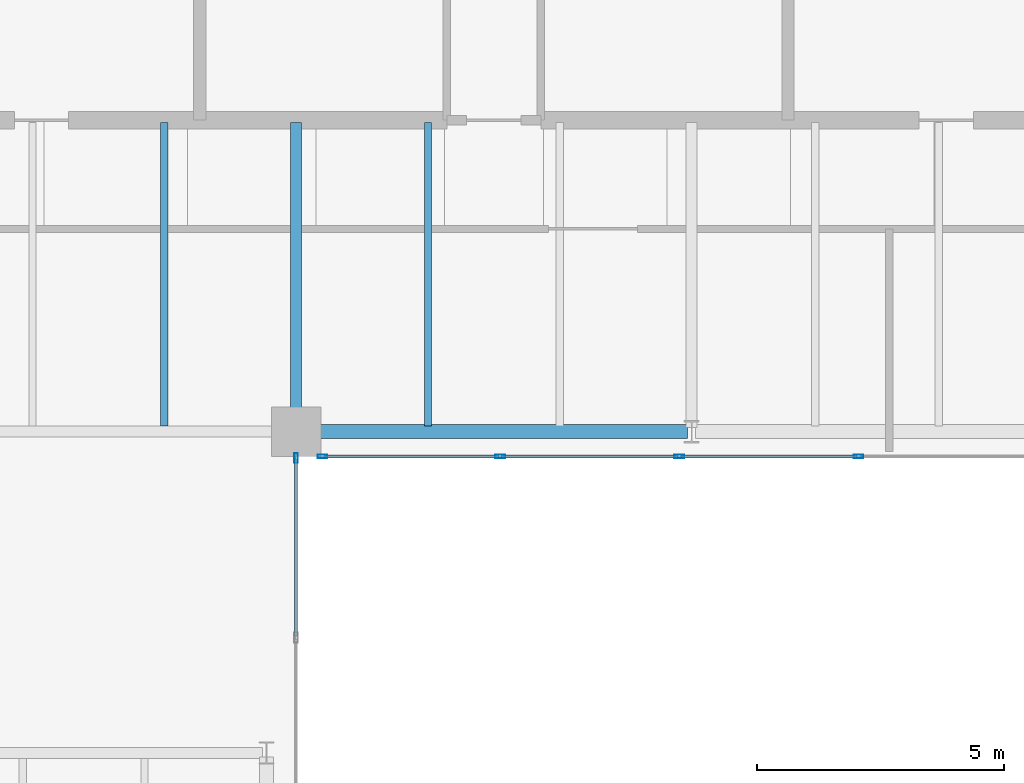
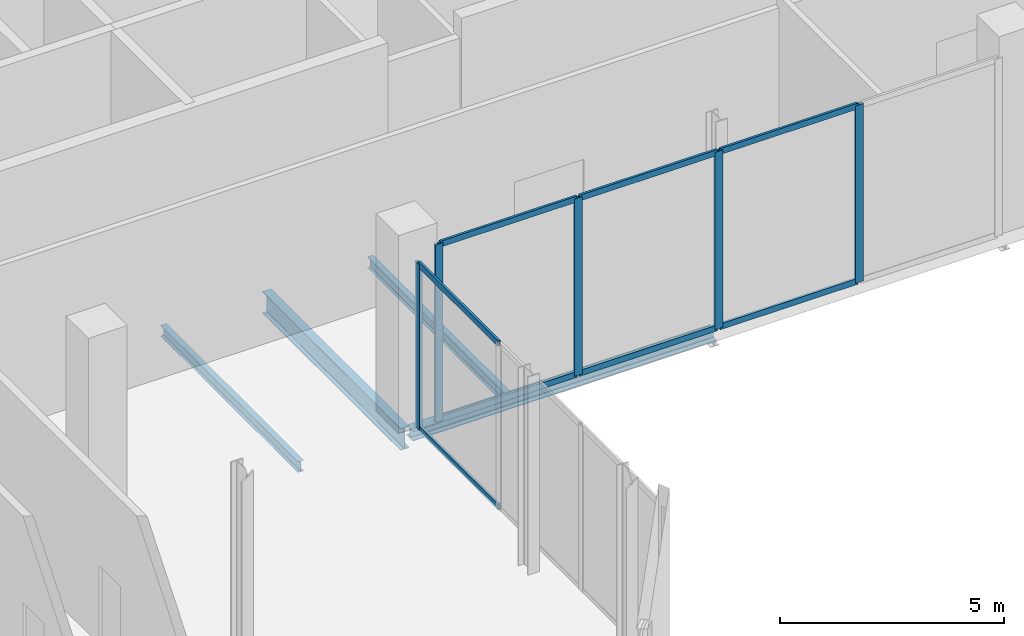
# One storey, part 9 of 17: 13 members, 4 beams, 2 elements without a shape of their own.
"""IFC4 building model written with IfcOpenShell, lengths in metres."""

from ifc_helpers import new_model, si_unit, direction, frame, origin, origin_2d, place, context, subcontext, project, spatial, hollow_rectangle, i_section, extrude, material, layer, layer_set, material_profile, profile_set, type_object, element, aggregate, save


model = new_model("IFC4")

# Units and contexts
model_context = context("Model", 3, precision=1e-05, world=origin(), true_north=direction((0.0, 1.0)))
body_context = subcontext(model_context, "Body", "Model", "MODEL_VIEW")
ifc_project = project(units=[si_unit("LENGTHUNIT", "METRE"), si_unit("AREAUNIT", "SQUARE_METRE"), si_unit("VOLUMEUNIT", "CUBIC_METRE"), si_unit("PLANEANGLEUNIT", "RADIAN"), si_unit("MASSUNIT", "GRAM", prefix="KILO")], contexts=[model_context])

# Site, building, storey
site_placement = place(None, origin())
site = spatial("IfcSite", under=ifc_project, at=site_placement, CompositionType="ELEMENT")
building_placement = place(site_placement, origin())
building = spatial("IfcBuilding", under=site, at=building_placement, Name="Catumbela Crestline Tower", CompositionType="ELEMENT")
storey_placement = place(building_placement, frame((0.0, 0.0, 213.0)))
storey = spatial("IfcBuildingStorey", under=building, at=storey_placement, Name="L55", CompositionType="ELEMENT", Elevation=213.0)

# Beams
ifc_material_1 = material(Name="Structural steel S355J2", Category="steel")
ifc_material_profile_1 = material_profile(ifc_material_1, i_section(OverallWidth=0.22, OverallDepth=0.6, WebThickness=0.012, FlangeThickness=0.019, FilletRadius=0.024, at=origin_2d()), Name="IPE 600")
ifc_profile_set_1 = profile_set([ifc_material_profile_1], Name="Structural steel S355J2")
beam_type_1 = type_object("IfcBeamType", Name="BG-IPE600", PredefinedType="BEAM", material=ifc_profile_set_1)
beam_1_placement = place(storey_placement, frame((24.0, 24.58, -0.65), z_axis=(0.0, 1.0, 0.0), x_axis=(-1.0, 0.0, 0.0)))
element("IfcBeam", 1, at=beam_1_placement, inside=storey, type_object=beam_type_1, Name="L55 Beam BM-L55-SNS16", PredefinedType="BEAM", context=body_context, shape_type="SweptSolid", body=[
    extrude(i_section(OverallWidth=0.22, OverallDepth=0.6, WebThickness=0.012, FlangeThickness=0.019, FilletRadius=0.024, at=origin_2d()), origin(), (0.0, 0.0, 1.0), 6.17),
])
ifc_material_profile_2 = material_profile(ifc_material_1, i_section(OverallWidth=0.15, OverallDepth=0.3, WebThickness=0.0071, FlangeThickness=0.0107, FilletRadius=0.015, at=origin_2d()), Name="IPE 300")
ifc_profile_set_2 = profile_set([ifc_material_profile_2], Name="Structural steel S355J2")
beam_type_2 = type_object("IfcBeamType", Name="BJ-IPE300", PredefinedType="JOIST", material=ifc_profile_set_2)
for number, where, z_axis, x_axis, name in (
    (2, (21.333, 24.61, -0.5), (0.0, 1.0, 0.0), (-1.0, 0.0, 0.0), "L55 Joist JS-L55-SP22"),
    (3, (26.667, 24.61, -0.5), (0.0, 1.0, 0.0), (-1.0, 0.0, 0.0), "L55 Joist JS-L55-SP23"),
):
    element("IfcBeam", number, at=place(storey_placement, frame(where, z_axis=z_axis, x_axis=x_axis)), inside=storey, type_object=beam_type_2, Name=name, PredefinedType="JOIST", context=body_context, shape_type="SweptSolid", body=[
        extrude(i_section(OverallWidth=0.15, OverallDepth=0.3, WebThickness=0.0071, FlangeThickness=0.0107, FilletRadius=0.015, at=origin_2d()), origin(), (0.0, 0.0, 1.0), 6.14),
    ])

# Curtain wall, member
ifc_material_2 = material(Name="Aluminium alloy AW-6060-T66", Category="aluminium")
ifc_layer = layer(ifc_material_2, 0.18, Name="Aluminium alloy AW-6060-T66")
ifc_layer_set = layer_set([ifc_layer], Name="Aluminium alloy AW-6060-T66")
curtain_wall_type = type_object("IfcCurtainWallType", Name="CWU-SKY", PredefinedType="USERDEFINED", material=ifc_layer_set)
curtain_wall_1_placement = place(storey_placement, origin())
curtain_wall_1 = element("IfcCurtainWall", 4, at=curtain_wall_1_placement, inside=storey, type_object=curtain_wall_type, Name="L55 Unitised Curtain Wall CW-L55-E2S1", ObjectType="UNITISED", PredefinedType="USERDEFINED")
ifc_material_profile_3 = material_profile(ifc_material_2, hollow_rectangle(XDim=0.075, YDim=0.2, WallThickness=0.005, at=origin_2d()), Name="ALU 200x75x5")
ifc_profile_set_3 = profile_set([ifc_material_profile_3], Name="Aluminium alloy AW-6060-T66")
member_type_1 = type_object("IfcMemberType", Name="MUL-200X75", PredefinedType="MULLION", material=ifc_profile_set_3)
member_1_placement = place(storey_placement, frame((24.0, 23.9675, 0.0), z_axis=(0.0, 0.0, 1.0), x_axis=(-1.0, 0.0, 0.0)))
member_1 = element("IfcMember", 5, at=member_1_placement, type_object=member_type_1, Name="CWU-SKY mullion 4", PredefinedType="MULLION", context=body_context, shape_type="SweptSolid", body=[
    extrude(hollow_rectangle(XDim=0.075, YDim=0.2, WallThickness=0.005, at=origin_2d()), origin(), (0.0, 0.0, 1.0), 4.52),
])

# Curtain wall, members
curtain_wall_2_placement = place(storey_placement, origin())
curtain_wall_2 = element("IfcCurtainWall", 6, at=curtain_wall_2_placement, inside=storey, type_object=curtain_wall_type, Name="L55 Unitised Curtain Wall CW-L55-E3S1", ObjectType="UNITISED", PredefinedType="USERDEFINED")
member_2_placement = place(storey_placement, frame((24.5325, 24.0, 0.0), z_axis=(0.0, 0.0, 1.0), x_axis=(0.0, 1.0, 0.0)))
member_2 = element("IfcMember", 7, at=member_2_placement, type_object=member_type_1, Name="CWU-SKY mullion 1", PredefinedType="MULLION", context=body_context, shape_type="SweptSolid", body=[
    extrude(hollow_rectangle(XDim=0.075, YDim=0.2, WallThickness=0.005, at=origin_2d()), origin(), (0.0, 0.0, 1.0), 4.84),
])
member_3_placement = place(storey_placement, frame((28.125, 24.0, 0.0), z_axis=(0.0, 0.0, 1.0), x_axis=(0.0, 1.0, 0.0)))
member_3 = element("IfcMember", 8, at=member_3_placement, type_object=member_type_1, Name="CWU-SKY mullion 2", PredefinedType="MULLION", context=body_context, shape_type="SweptSolid", body=[
    extrude(hollow_rectangle(XDim=0.075, YDim=0.2, WallThickness=0.005, at=origin_2d()), origin(), (0.0, 0.0, 1.0), 4.84),
])
member_4_placement = place(storey_placement, frame((31.75, 24.0, 0.0), z_axis=(0.0, 0.0, 1.0), x_axis=(0.0, 1.0, 0.0)))
member_4 = element("IfcMember", 9, at=member_4_placement, type_object=member_type_1, Name="CWU-SKY mullion 3", PredefinedType="MULLION", context=body_context, shape_type="SweptSolid", body=[
    extrude(hollow_rectangle(XDim=0.075, YDim=0.2, WallThickness=0.005, at=origin_2d()), origin(), (0.0, 0.0, 1.0), 4.84),
])
member_5_placement = place(storey_placement, frame((35.375, 24.0, 0.0), z_axis=(0.0, 0.0, 1.0), x_axis=(0.0, 1.0, 0.0)))
member_5 = element("IfcMember", 10, at=member_5_placement, type_object=member_type_1, Name="CWU-SKY mullion 4", PredefinedType="MULLION", context=body_context, shape_type="SweptSolid", body=[
    extrude(hollow_rectangle(XDim=0.075, YDim=0.2, WallThickness=0.005, at=origin_2d()), origin(), (0.0, 0.0, 1.0), 4.84),
])

# Beam
ifc_material_profile_4 = material_profile(ifc_material_1, i_section(OverallWidth=0.28, OverallDepth=0.28, WebThickness=0.0105, FlangeThickness=0.018, FilletRadius=0.024, at=origin_2d()), Name="HEB 280")
ifc_profile_set_4 = profile_set([ifc_material_profile_4], Name="Structural steel S355J2")
beam_type_3 = type_object("IfcBeamType", Name="BS-HEB280", PredefinedType="SPANDREL", material=ifc_profile_set_4)
beam_2_placement = place(storey_placement, frame((24.08, 24.5, -0.49), z_axis=(1.0, 0.0, 0.0), x_axis=(0.0, 1.0, 0.0)))
element("IfcBeam", 11, at=beam_2_placement, inside=storey, type_object=beam_type_3, Name="L55 Spandrel SP-L55-S04", PredefinedType="SPANDREL", context=body_context, shape_type="SweptSolid", body=[
    extrude(i_section(OverallWidth=0.28, OverallDepth=0.28, WebThickness=0.0105, FlangeThickness=0.018, FilletRadius=0.024, at=origin_2d()), origin(), (0.0, 0.0, 1.0), 7.84),
])

# Member
ifc_material_profile_5 = material_profile(ifc_material_2, hollow_rectangle(XDim=0.06, YDim=0.16, WallThickness=0.004, at=origin_2d()), Name="ALU 160x60x4")
ifc_profile_set_5 = profile_set([ifc_material_profile_5], Name="Aluminium alloy AW-6060-T66")
member_type_2 = type_object("IfcMemberType", Name="TRN-160X60", PredefinedType="USERDEFINED", material=ifc_profile_set_5)
member_6_placement = place(storey_placement, frame((24.0, 20.3658, 0.03), z_axis=(0.0, 1.0, 0.0), x_axis=(-1.0, 0.0, 0.0)))
member_6 = element("IfcMember", 12, at=member_6_placement, type_object=member_type_2, Name="CWU-SKY transom 3.1", ObjectType="TRANSOM", PredefinedType="USERDEFINED", context=body_context, shape_type="SweptSolid", body=[
    extrude(hollow_rectangle(XDim=0.06, YDim=0.16, WallThickness=0.004, at=origin_2d()), origin(), (0.0, 0.0, 1.0), 3.5692),
])

member_7_placement = place(storey_placement, frame((24.0, 20.3658, 4.49), z_axis=(0.0, 1.0, 0.0), x_axis=(-1.0, 0.0, 0.0)))
member_7 = element("IfcMember", 13, at=member_7_placement, type_object=member_type_2, Name="CWU-SKY transom 3.2", ObjectType="TRANSOM", PredefinedType="USERDEFINED", context=body_context, shape_type="SweptSolid", body=[
    extrude(hollow_rectangle(XDim=0.06, YDim=0.16, WallThickness=0.004, at=origin_2d()), origin(), (0.0, 0.0, 1.0), 3.5692),
])

aggregate(curtain_wall_1, [member_1, member_6, member_7])

member_8_placement = place(storey_placement, frame((24.565, 24.0, 0.03), z_axis=(1.0, 0.0, 0.0), x_axis=(0.0, 1.0, 0.0)))
member_8 = element("IfcMember", 14, at=member_8_placement, type_object=member_type_2, Name="CWU-SKY transom 1.1", ObjectType="TRANSOM", PredefinedType="USERDEFINED", context=body_context, shape_type="SweptSolid", body=[
    extrude(hollow_rectangle(XDim=0.06, YDim=0.16, WallThickness=0.004, at=origin_2d()), origin(), (0.0, 0.0, 1.0), 3.5275),
])

member_9_placement = place(storey_placement, frame((24.565, 24.0, 4.81), z_axis=(1.0, 0.0, 0.0), x_axis=(0.0, 1.0, 0.0)))
member_9 = element("IfcMember", 15, at=member_9_placement, type_object=member_type_2, Name="CWU-SKY transom 1.2", ObjectType="TRANSOM", PredefinedType="USERDEFINED", context=body_context, shape_type="SweptSolid", body=[
    extrude(hollow_rectangle(XDim=0.06, YDim=0.16, WallThickness=0.004, at=origin_2d()), origin(), (0.0, 0.0, 1.0), 3.5275),
])

member_10_placement = place(storey_placement, frame((28.1575, 24.0, 0.03), z_axis=(1.0, 0.0, 0.0), x_axis=(0.0, 1.0, 0.0)))
member_10 = element("IfcMember", 16, at=member_10_placement, type_object=member_type_2, Name="CWU-SKY transom 2.1", ObjectType="TRANSOM", PredefinedType="USERDEFINED", context=body_context, shape_type="SweptSolid", body=[
    extrude(hollow_rectangle(XDim=0.06, YDim=0.16, WallThickness=0.004, at=origin_2d()), origin(), (0.0, 0.0, 1.0), 3.56),
])

member_11_placement = place(storey_placement, frame((28.1575, 24.0, 4.81), z_axis=(1.0, 0.0, 0.0), x_axis=(0.0, 1.0, 0.0)))
member_11 = element("IfcMember", 17, at=member_11_placement, type_object=member_type_2, Name="CWU-SKY transom 2.2", ObjectType="TRANSOM", PredefinedType="USERDEFINED", context=body_context, shape_type="SweptSolid", body=[
    extrude(hollow_rectangle(XDim=0.06, YDim=0.16, WallThickness=0.004, at=origin_2d()), origin(), (0.0, 0.0, 1.0), 3.56),
])

member_12_placement = place(storey_placement, frame((31.7825, 24.0, 0.03), z_axis=(1.0, 0.0, 0.0), x_axis=(0.0, 1.0, 0.0)))
member_12 = element("IfcMember", 18, at=member_12_placement, type_object=member_type_2, Name="CWU-SKY transom 3.1", ObjectType="TRANSOM", PredefinedType="USERDEFINED", context=body_context, shape_type="SweptSolid", body=[
    extrude(hollow_rectangle(XDim=0.06, YDim=0.16, WallThickness=0.004, at=origin_2d()), origin(), (0.0, 0.0, 1.0), 3.56),
])

member_13_placement = place(storey_placement, frame((31.7825, 24.0, 4.81), z_axis=(1.0, 0.0, 0.0), x_axis=(0.0, 1.0, 0.0)))
member_13 = element("IfcMember", 19, at=member_13_placement, type_object=member_type_2, Name="CWU-SKY transom 3.2", ObjectType="TRANSOM", PredefinedType="USERDEFINED", context=body_context, shape_type="SweptSolid", body=[
    extrude(hollow_rectangle(XDim=0.06, YDim=0.16, WallThickness=0.004, at=origin_2d()), origin(), (0.0, 0.0, 1.0), 3.56),
])

aggregate(curtain_wall_2, [member_2, member_3, member_4, member_5, member_8, member_9, member_10, member_11, member_12, member_13])

save(model, "model.ifc")
